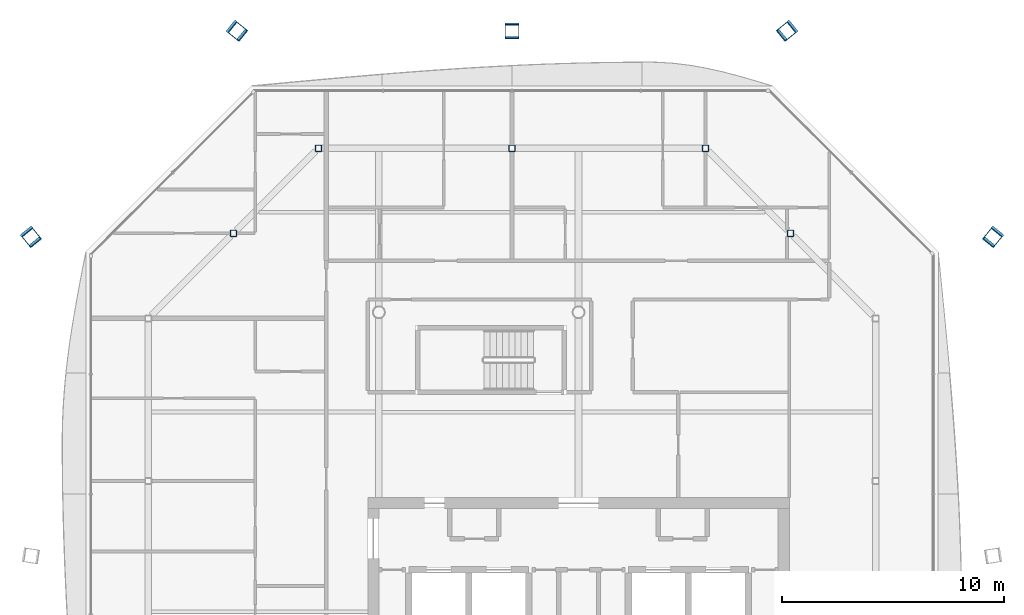
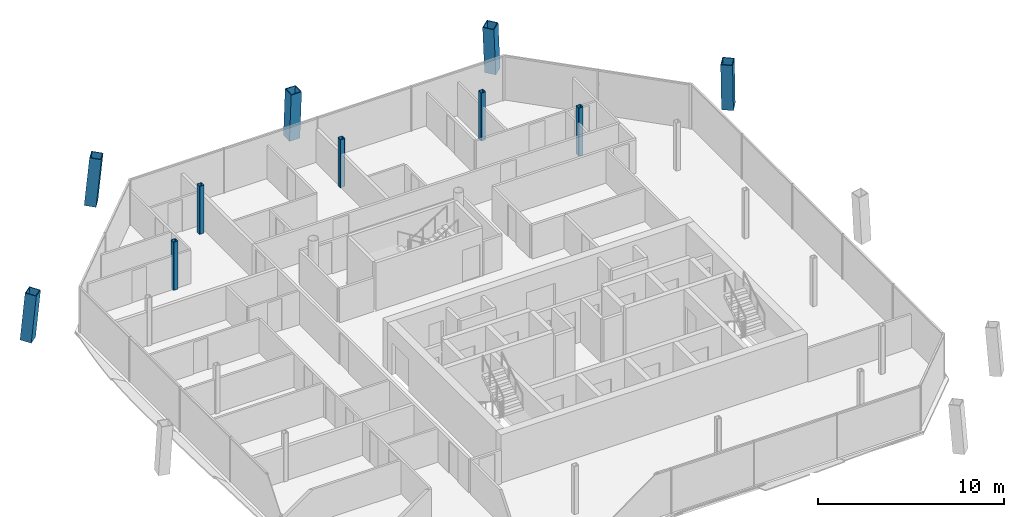
# One storey, part 3 of 18: 10 columns.
"""IFC4 building model written with IfcOpenShell, lengths in metres."""

import ifcopenshell
import ifcopenshell.guid

model = None  # the IFC model being written
_history = None  # IfcOwnerHistory: only IFC2X3 demands one
_inside = {}  # id of a spatial element -> (the spatial element, [elements in it])
_under = {}  # id of a project, library or spatial element -> (it, [spatial elements below it])
_declared = {}  # id of a project -> (the project, [libraries it declares])
_typed = {}  # id of a type object -> (the type object, [elements of that type])
_made_of = {}  # id of a material, layer set ... -> (it, [elements and type objects made of it])


def new_model(schema):
    """Start an empty IFC model of exactly this schema.

    Asked for "IFC4X3", IfcOpenShell would pick the latest addendum, in which some entities
    have other attributes; the version numbers below select the first issue.
    IFC2X3 requires an IfcOwnerHistory on every rooted entity: one is made here for all.
    """
    global model, _history
    if schema == "IFC4X3":
        model = ifcopenshell.file(schema_version=(4, 3, 0, 0))
    else:
        model = ifcopenshell.file(schema=schema)
    _inside.clear()
    _under.clear()
    _declared.clear()
    _typed.clear()
    _made_of.clear()
    _history = None
    if model.schema == "IFC2X3":
        org = make("IfcOrganization", Name="unknown")
        user = make(
            "IfcPersonAndOrganization",
            ThePerson=make("IfcPerson", FamilyName="unknown"),
            TheOrganization=org,
        )
        app = make(
            "IfcApplication",
            ApplicationDeveloper=org,
            Version="unknown",
            ApplicationFullName="unknown",
            ApplicationIdentifier="unknown",
        )
        _history = make(
            "IfcOwnerHistory",
            OwningUser=user,
            OwningApplication=app,
            ChangeAction="ADDED",
            CreationDate=0,
        )
    return model


def make(cls, **values):
    """One entity of the class cls with the attributes given. An attribute that is None is left unset."""
    return model.create_entity(
        cls, **{name: value for name, value in values.items() if value is not None}
    )


def rooted(cls, **values):
    """An entity with a GlobalId (a new one), such as an element, a storey or a relation."""
    return make(cls, GlobalId=ifcopenshell.guid.new(), OwnerHistory=_history, **values)


def si_unit(unit_type, name, prefix=None):
    """IfcSIUnit, for example si_unit("LENGTHUNIT", "METRE", prefix="MILLI")."""
    return make("IfcSIUnit", UnitType=unit_type, Prefix=prefix, Name=name)


def assignment(units):
    """IfcUnitAssignment: the units of a project."""
    return None if units is None else make("IfcUnitAssignment", Units=units)


def point(xyz):
    """IfcCartesianPoint."""
    return None if xyz is None else make("IfcCartesianPoint", Coordinates=xyz)


def direction(xyz):
    """IfcDirection."""
    return None if xyz is None else make("IfcDirection", DirectionRatios=xyz)


def frame(location, z_axis=None, x_axis=None):
    """IfcAxis2Placement3D, a coordinate frame: its origin and axes. An axis left out is left unset."""
    return make(
        "IfcAxis2Placement3D",
        Location=point(location),
        Axis=direction(z_axis),
        RefDirection=direction(x_axis),
    )


def frame_2d(location, x_axis=None):
    """IfcAxis2Placement2D, a coordinate frame in the plane: its origin and x axis."""
    return make(
        "IfcAxis2Placement2D", Location=point(location), RefDirection=direction(x_axis)
    )


def origin():
    """The frame at (0, 0, 0) with its axes left unset."""
    return frame((0.0, 0.0, 0.0))


def origin_2d():
    """The frame at (0, 0) in the plane with its x axis left unset."""
    return frame_2d((0.0, 0.0))


def place(relative_to, where):
    """IfcLocalPlacement: puts the frame where relative to a parent placement (None: the world)."""
    return make(
        "IfcLocalPlacement", PlacementRelTo=relative_to, RelativePlacement=where
    )


def context(
    kind, dimensions, precision=None, world=None, true_north=None, identifier=None
):
    """IfcGeometricRepresentationContext, for example the 3D "Model" context."""
    return make(
        "IfcGeometricRepresentationContext",
        ContextIdentifier=identifier,
        ContextType=kind,
        CoordinateSpaceDimension=dimensions,
        Precision=precision,
        WorldCoordinateSystem=world,
        TrueNorth=true_north,
    )


def subcontext(parent, identifier, kind, view, scale=None):
    """IfcGeometricRepresentationSubContext, for example "Body" below "Model"."""
    return make(
        "IfcGeometricRepresentationSubContext",
        ContextIdentifier=identifier,
        ContextType=kind,
        ParentContext=parent,
        TargetScale=scale,
        TargetView=view,
    )


def project(units=None, contexts=None):
    """IfcProject with its units and contexts."""
    return rooted(
        "IfcProject",
        Name="project",
        RepresentationContexts=contexts,
        UnitsInContext=assignment(units),
    )


def spatial(cls, under=None, at=None, **own):
    """A site, building, storey or space (cls), placed at a placement, below another one or the project."""
    s = rooted(cls, ObjectPlacement=at, **own)
    if under is not None:
        _under.setdefault(under.id(), (under, []))[1].append(s)
    return s


def profile(cls, at=None, kind="AREA", **sizes):
    """A parametric profile (cls). Its sizes go by their IFC names, for example OverallWidth=200.0."""
    return make(cls, ProfileType=kind, Position=at, **sizes)


def hollow_rectangle(**sizes):
    """IfcRectangleHollowProfileDef."""
    return profile("IfcRectangleHollowProfileDef", **sizes)


def extrude(swept, where, along, depth):
    """IfcExtrudedAreaSolid: the profile swept, set in the frame where, extruded along a direction by depth."""
    return make(
        "IfcExtrudedAreaSolid",
        SweptArea=swept,
        Position=where,
        ExtrudedDirection=direction(along),
        Depth=depth,
    )


def shape(context_of_items, identifier, shape_type, items):
    """IfcShapeRepresentation: the items that make up one representation, for example the "Body"."""
    return make(
        "IfcShapeRepresentation",
        ContextOfItems=context_of_items,
        RepresentationIdentifier=identifier,
        RepresentationType=shape_type,
        Items=items,
    )


def material(Name=None, Category=None):
    """IfcMaterial."""
    return make("IfcMaterial", Name=Name, Category=Category)


def material_profile(
    of_material, cross_section, Name=None, Category=None, Priority=None
):
    """IfcMaterialProfile: a cross section and its material."""
    return make(
        "IfcMaterialProfile",
        Name=Name,
        Material=of_material,
        Profile=cross_section,
        Priority=Priority,
        Category=Category,
    )


def profile_set(profiles, Name=None, composite=None):
    """IfcMaterialProfileSet."""
    return make(
        "IfcMaterialProfileSet",
        Name=Name,
        MaterialProfiles=profiles,
        CompositeProfile=composite,
    )


def made_of(thing, what):
    """Note that an element or type object is made of a material, layer set ...; save() writes the relation."""
    if what is not None:
        _made_of.setdefault(what.id(), (what, []))[1].append(thing)
    return thing


def type_object(cls, material=None, **own):
    """A type object (cls), such as IfcWallType, which elements share."""
    return made_of(rooted(cls, **own), material)


def element(
    cls,
    number,
    at=None,
    inside=None,
    cuts=None,
    type_object=None,
    material=None,
    context=None,
    identifier="Body",
    shape_type=None,
    held_by="IfcProductDefinitionShape",
    body=None,
    shapes=None,
    **own,
):
    """One element of the class cls, such as IfcWall. Its Tag is "e" and its number.

    at: its placement. inside: the storey or other place that contains it. cuts: it is an
    opening in that element (IfcRelVoidsElement). A single representation is given by context,
    identifier, shape_type and body (its items); several are given by shapes. held_by: the class
    of the entity that holds the representations. save() writes the other relations.
    """
    e = rooted(cls, Tag="e%d" % number, ObjectPlacement=at, **own)
    if body is not None:
        shapes = [shape(context, identifier, shape_type, body)]
    if shapes is not None:
        e.Representation = make(held_by, Representations=shapes)
    if inside is not None:
        _inside.setdefault(inside.id(), (inside, []))[1].append(e)
    if cuts is not None:
        rooted(
            "IfcRelVoidsElement", RelatingBuildingElement=cuts, RelatedOpeningElement=e
        )
    if type_object is not None:
        _typed.setdefault(type_object.id(), (type_object, []))[1].append(e)
    return made_of(e, material)


def aggregate(whole, parts):
    """IfcRelAggregates: a whole, such as a stair, and the parts it consists of."""
    return rooted("IfcRelAggregates", RelatingObject=whole, RelatedObjects=parts)


def save(model, path):
    """Write the relations noted so far, then the file.

    IfcRelAggregates (storeys below a building ...), IfcRelContainedInSpatialStructure (elements
    in a storey), IfcRelDefinesByType, IfcRelAssociatesMaterial and IfcRelDeclares: one each for
    every whole, place, type object, material and project.
    """
    for whole, parts in _under.values():
        aggregate(whole, parts)
    for where, things in _inside.values():
        rooted(
            "IfcRelContainedInSpatialStructure",
            RelatedElements=things,
            RelatingStructure=where,
        )
    for kind, things in _typed.values():
        rooted("IfcRelDefinesByType", RelatedObjects=things, RelatingType=kind)
    for what, things in _made_of.values():
        rooted("IfcRelAssociatesMaterial", RelatedObjects=things, RelatingMaterial=what)
    for by, libraries in _declared.values():
        rooted("IfcRelDeclares", RelatingContext=by, RelatedDefinitions=libraries)
    model.write(path)


model = new_model("IFC4")

# Units and contexts
model_context = context("Model", 3, precision=1e-05, world=origin(), true_north=direction((0.0, 1.0)))
body_context = subcontext(model_context, "Body", "Model", "MODEL_VIEW")
ifc_project = project(units=[si_unit("LENGTHUNIT", "METRE"), si_unit("AREAUNIT", "SQUARE_METRE"), si_unit("VOLUMEUNIT", "CUBIC_METRE"), si_unit("PLANEANGLEUNIT", "RADIAN"), si_unit("MASSUNIT", "GRAM", prefix="KILO")], contexts=[model_context])

# Site, building, storey
site_placement = place(None, origin())
site = spatial("IfcSite", under=ifc_project, at=site_placement, CompositionType="ELEMENT")
building_placement = place(site_placement, origin())
building = spatial("IfcBuilding", under=site, at=building_placement, Name="Tskaro Facet Tower", CompositionType="ELEMENT")
storey_placement = place(building_placement, frame((0.0, 0.0, 223.5)))
storey = spatial("IfcBuildingStorey", under=building, at=storey_placement, Name="L57", CompositionType="ELEMENT", Elevation=223.5)

# Columns
ifc_material_1 = material(Name="Steel S355J2", Category="steel")
ifc_material_profile_1 = material_profile(ifc_material_1, hollow_rectangle(XDim=0.64990234375, YDim=0.64990234375, WallThickness=0.0400390625, at=origin_2d()), Name="BOX 650x650x40")
ifc_profile_set_1 = profile_set([ifc_material_profile_1], Name="Steel S355J2")
column_type_1 = type_object("IfcColumnType", Name="BOX 650x650x40 mega column", PredefinedType="COLUMN", material=ifc_profile_set_1)
for number, where, z_axis, x_axis, name in (
    (1, (18.719970703125, 12.44091796875, 0.0), (-0.057807558437, -0.071391176975, 0.995771854411), (0.777166601342, -0.62929490206, 0.0), "BOX 650x650x40 MC06/5"),
    (2, (9.44091796875, 21.719970703125, 0.0), (-0.071391176975, -0.057807558437, 0.995771854411), (0.62929490206, -0.777166601342, 0.0), "BOX 650x650x40 MC07/5"),
):
    element("IfcColumn", number, at=place(storey_placement, frame(where, z_axis=z_axis, x_axis=x_axis)), inside=storey, type_object=column_type_1, Name=name, PredefinedType="COLUMN", context=body_context, shape_type="SweptSolid", body=[
        extrude(hollow_rectangle(XDim=0.64990234375, YDim=0.64990234375, WallThickness=0.0400390625, at=origin_2d()), origin(), (0.0, 0.0, 1.0), 3.163330078125),
    ])
column_placement = place(storey_placement, frame((-3.0, 21.719970703125, 0.0), z_axis=(0.0, -0.057955437846, 0.998319171019), x_axis=(1.0, 0.0, 0.0)))
element("IfcColumn", 3, at=column_placement, inside=storey, type_object=column_type_1, Name="BOX 650x650x40 MC08/5", PredefinedType="COLUMN", context=body_context, shape_type="SweptSolid", body=[
    extrude(hollow_rectangle(XDim=0.64990234375, YDim=0.64990234375, WallThickness=0.0400390625, at=origin_2d()), origin(), (0.0, 0.0, 1.0), 3.1552734375),
])
for number, where, z_axis, x_axis, name in (
    (4, (-15.44091796875, 21.719970703125, 0.0), (0.071391176975, -0.057807558437, 0.995771854411), (0.62929490206, 0.777166601342, 0.0), "BOX 650x650x40 MC09/5"),
    (5, (-24.719970703125, 12.44091796875, 0.0), (0.057807558437, -0.071391176975, 0.995771854411), (0.777166601342, 0.62929490206, 0.0), "BOX 650x650x40 MC10/5"),
):
    element("IfcColumn", number, at=place(storey_placement, frame(where, z_axis=z_axis, x_axis=x_axis)), inside=storey, type_object=column_type_1, Name=name, PredefinedType="COLUMN", context=body_context, shape_type="SweptSolid", body=[
        extrude(hollow_rectangle(XDim=0.64990234375, YDim=0.64990234375, WallThickness=0.0400390625, at=origin_2d()), origin(), (0.0, 0.0, 1.0), 3.163330078125),
    ])
ifc_material_2 = material(Name="Steel S355J2H", Category="steel")
ifc_material_profile_2 = material_profile(ifc_material_2, hollow_rectangle(XDim=0.300048828125, YDim=0.300048828125, WallThickness=0.02001953125, InnerFilletRadius=0.030029296875, OuterFilletRadius=0.050048828125, at=origin_2d()), Name="SHS 300x300x20")
ifc_profile_set_2 = profile_set([ifc_material_profile_2], Name="Steel S355J2H")
column_type_2 = type_object("IfcColumnType", Name="SHS 300x300x20 ring column", PredefinedType="COLUMN", material=ifc_profile_set_2)
for number, where, z_axis, x_axis, name in (
    (6, (9.55810546875, 12.55810546875, 0.0), (0.0, 0.0, 1.0), (1.0, 0.0, 0.0), "SHS 300x300x20 RNE-2/5"),
    (7, (5.72509765625, 16.39111328125, 0.0), (0.0, 0.0, 1.0), (1.0, 0.0, 0.0), "SHS 300x300x20 RN-1/5"),
    (8, (-3.0, 16.39111328125, 0.0), (0.0, 0.0, 1.0), (1.0, 0.0, 0.0), "SHS 300x300x20 RN-2/5"),
    (9, (-11.72509765625, 16.39111328125, 0.0), (0.0, 0.0, 1.0), (1.0, 0.0, 0.0), "SHS 300x300x20 RNW-1/5"),
    (10, (-15.55810546875, 12.55810546875, 0.0), (0.0, 0.0, 1.0), (1.0, 0.0, 0.0), "SHS 300x300x20 RNW-2/5"),
):
    element("IfcColumn", number, at=place(storey_placement, frame(where, z_axis=z_axis, x_axis=x_axis)), inside=storey, type_object=column_type_2, Name=name, PredefinedType="COLUMN", context=body_context, shape_type="SweptSolid", body=[
        extrude(hollow_rectangle(XDim=0.300048828125, YDim=0.300048828125, WallThickness=0.02001953125, InnerFilletRadius=0.030029296875, OuterFilletRadius=0.050048828125, at=origin_2d()), origin(), (0.0, 0.0, 1.0), 3.14990234375),
    ])

save(model, "model.ifc")
